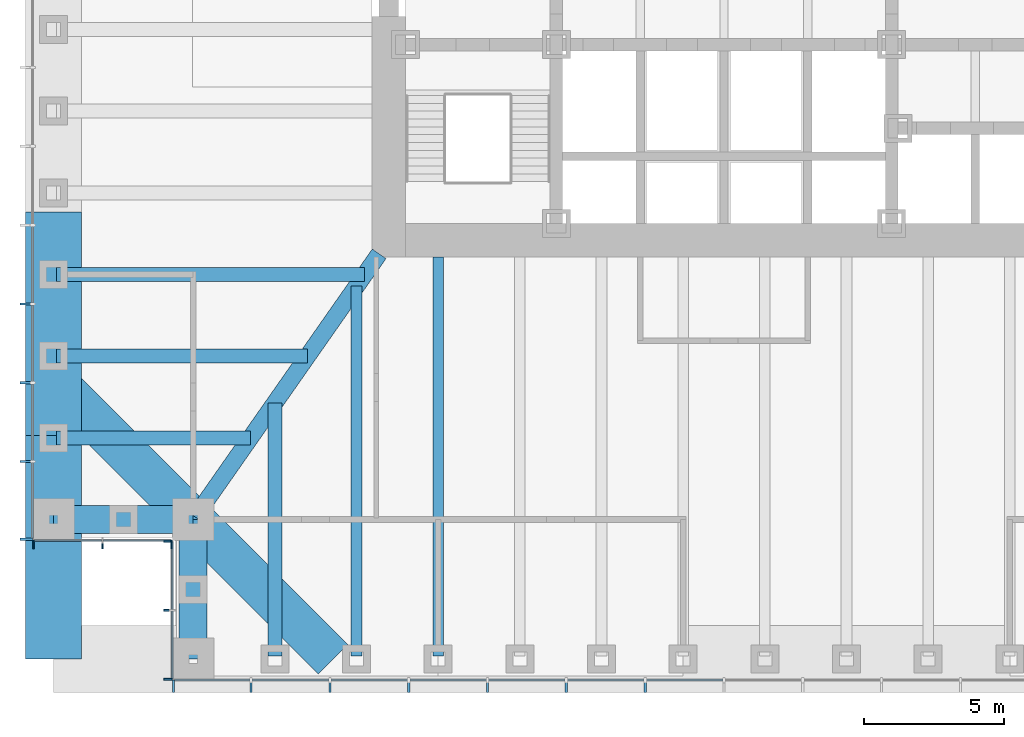
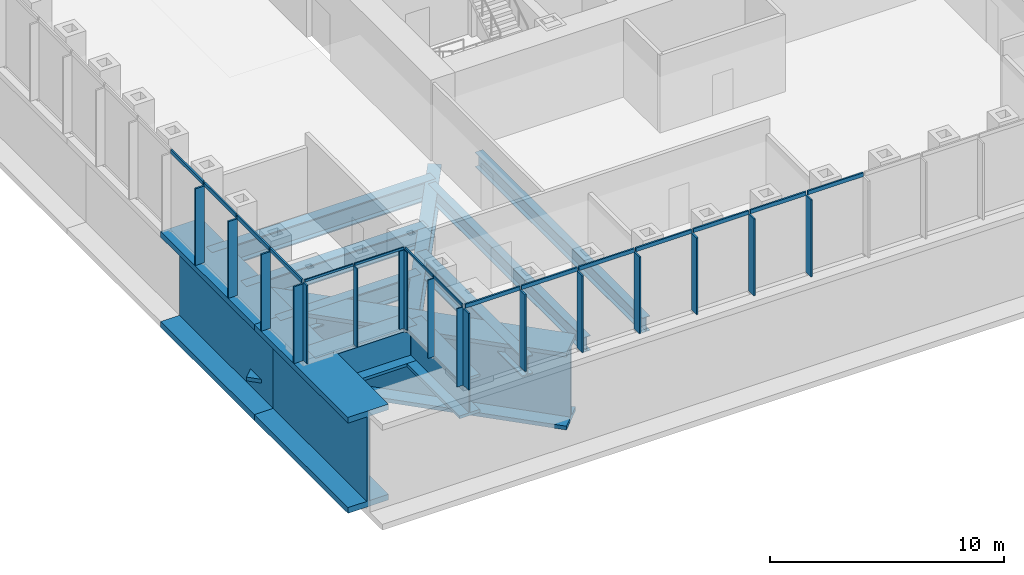
# One storey, part 2 of 16: 32 members, 12 beams, 4 elements without a shape of their own.
"""IFC4 building model written with IfcOpenShell, lengths in metres."""

from ifc_helpers import new_model, si_unit, direction, frame, origin, origin_2d, place, context, subcontext, project, spatial, rectangle, i_section, extrude, material, material_profile, profile_set, type_object, element, aggregate, save


model = new_model("IFC4")

# Units and contexts
model_context = context("Model", 3, precision=1e-05, world=origin(), true_north=direction((0.0, 1.0)))
body_context = subcontext(model_context, "Body", "Model", "MODEL_VIEW")
ifc_project = project(units=[si_unit("LENGTHUNIT", "METRE"), si_unit("AREAUNIT", "SQUARE_METRE"), si_unit("VOLUMEUNIT", "CUBIC_METRE"), si_unit("PLANEANGLEUNIT", "RADIAN"), si_unit("MASSUNIT", "GRAM", prefix="KILO")], contexts=[model_context])

# Site, building, storey
site_placement = place(None, origin())
site = spatial("IfcSite", under=ifc_project, at=site_placement, CompositionType="ELEMENT")
building_placement = place(site_placement, origin())
building = spatial("IfcBuilding", under=site, at=building_placement, Name="Daluyong Arena Tower", CompositionType="ELEMENT")
storey_placement = place(building_placement, frame((0.0, 0.0, 34.89990234375)))
storey = spatial("IfcBuildingStorey", under=building, at=storey_placement, Name="L06", CompositionType="ELEMENT", Elevation=34.89990234375)

# Curtain wall, members
ifc_material_1 = material(Name="Bronze anodised aluminium and glass", Category="aluminium")
curtain_wall_type_1 = type_object("IfcCurtainWallType", Name="Curtain wall CW1", PredefinedType="USERDEFINED", material=ifc_material_1)
curtain_wall_1_placement = place(storey_placement, origin())
curtain_wall_1 = element("IfcCurtainWall", 1, at=curtain_wall_1_placement, inside=storey, type_object=curtain_wall_type_1, Name="curtain wall L06 S", ObjectType="UNITISED CURTAIN WALL", PredefinedType="USERDEFINED")
ifc_material_2 = material(Name="Bronze anodised aluminium fin", Category="aluminium")
ifc_material_profile_1 = material_profile(ifc_material_2, rectangle(XDim=0.449951171875, YDim=0.080078125, at=origin_2d()))
ifc_profile_set_1 = profile_set([ifc_material_profile_1], Name="Bronze anodised aluminium fin")
member_type_1 = type_object("IfcMemberType", Name="CW1 bronze fin 450x80", PredefinedType="MULLION", material=ifc_profile_set_1)
member_1_placement = place(storey_placement, frame((36.2900390625, 55.02490234375, 0.0), z_axis=(0.0, 0.0, 1.0), x_axis=(0.0, 1.0, 0.0)))
member_1 = element("IfcMember", 2, at=member_1_placement, type_object=member_type_1, Name="curtain wall L06 S fin 1", PredefinedType="MULLION", context=body_context, shape_type="SweptSolid", body=[
    extrude(rectangle(XDim=0.449951171875, YDim=0.080078125, at=origin_2d()), origin(), (0.0, 0.0, 1.0), 4.0),
])
member_2_placement = place(storey_placement, frame((39.071533203125, 55.02490234375, 0.0), z_axis=(0.0, 0.0, 1.0), x_axis=(0.0, 1.0, 0.0)))
member_2 = element("IfcMember", 3, at=member_2_placement, type_object=member_type_1, Name="curtain wall L06 S fin 2", PredefinedType="MULLION", context=body_context, shape_type="SweptSolid", body=[
    extrude(rectangle(XDim=0.449951171875, YDim=0.080078125, at=origin_2d()), origin(), (0.0, 0.0, 1.0), 4.0),
])
member_3_placement = place(storey_placement, frame((41.892822265625, 55.02490234375, 0.0), z_axis=(0.0, 0.0, 1.0), x_axis=(0.0, 1.0, 0.0)))
member_3 = element("IfcMember", 4, at=member_3_placement, type_object=member_type_1, Name="curtain wall L06 S fin 3", PredefinedType="MULLION", context=body_context, shape_type="SweptSolid", body=[
    extrude(rectangle(XDim=0.449951171875, YDim=0.080078125, at=origin_2d()), origin(), (0.0, 0.0, 1.0), 4.0),
])
member_4_placement = place(storey_placement, frame((44.71435546875, 55.02490234375, 0.0), z_axis=(0.0, 0.0, 1.0), x_axis=(0.0, 1.0, 0.0)))
member_4 = element("IfcMember", 5, at=member_4_placement, type_object=member_type_1, Name="curtain wall L06 S fin 4", PredefinedType="MULLION", context=body_context, shape_type="SweptSolid", body=[
    extrude(rectangle(XDim=0.449951171875, YDim=0.080078125, at=origin_2d()), origin(), (0.0, 0.0, 1.0), 4.0),
])
member_5_placement = place(storey_placement, frame((47.53564453125, 55.02490234375, 0.0), z_axis=(0.0, 0.0, 1.0), x_axis=(0.0, 1.0, 0.0)))
member_5 = element("IfcMember", 6, at=member_5_placement, type_object=member_type_1, Name="curtain wall L06 S fin 5", PredefinedType="MULLION", context=body_context, shape_type="SweptSolid", body=[
    extrude(rectangle(XDim=0.449951171875, YDim=0.080078125, at=origin_2d()), origin(), (0.0, 0.0, 1.0), 4.0),
])
member_6_placement = place(storey_placement, frame((50.357177734375, 55.02490234375, 0.0), z_axis=(0.0, 0.0, 1.0), x_axis=(0.0, 1.0, 0.0)))
member_6 = element("IfcMember", 7, at=member_6_placement, type_object=member_type_1, Name="curtain wall L06 S fin 6", PredefinedType="MULLION", context=body_context, shape_type="SweptSolid", body=[
    extrude(rectangle(XDim=0.449951171875, YDim=0.080078125, at=origin_2d()), origin(), (0.0, 0.0, 1.0), 4.0),
])
member_7_placement = place(storey_placement, frame((53.178466796875, 55.02490234375, 0.0), z_axis=(0.0, 0.0, 1.0), x_axis=(0.0, 1.0, 0.0)))
member_7 = element("IfcMember", 8, at=member_7_placement, type_object=member_type_1, Name="curtain wall L06 S fin 7", PredefinedType="MULLION", context=body_context, shape_type="SweptSolid", body=[
    extrude(rectangle(XDim=0.449951171875, YDim=0.080078125, at=origin_2d()), origin(), (0.0, 0.0, 1.0), 4.0),
])

curtain_wall_2_placement = place(storey_placement, origin())
curtain_wall_2 = element("IfcCurtainWall", 9, at=curtain_wall_2_placement, inside=storey, type_object=curtain_wall_type_1, Name="curtain wall L06 W", ObjectType="UNITISED CURTAIN WALL", PredefinedType="USERDEFINED")
member_8_placement = place(storey_placement, frame((31.02490234375, 68.71435546875, 0.0), z_axis=(0.0, 0.0, 1.0), x_axis=(1.0, 0.0, 0.0)))
member_8 = element("IfcMember", 10, at=member_8_placement, type_object=member_type_1, Name="curtain wall L06 W fin 12", PredefinedType="MULLION", context=body_context, shape_type="SweptSolid", body=[
    extrude(rectangle(XDim=0.449951171875, YDim=0.080078125, at=origin_2d()), origin(), (0.0, 0.0, 1.0), 4.0),
])
member_9_placement = place(storey_placement, frame((31.02490234375, 65.892822265625, 0.0), z_axis=(0.0, 0.0, 1.0), x_axis=(1.0, 0.0, 0.0)))
member_9 = element("IfcMember", 11, at=member_9_placement, type_object=member_type_1, Name="curtain wall L06 W fin 13", PredefinedType="MULLION", context=body_context, shape_type="SweptSolid", body=[
    extrude(rectangle(XDim=0.449951171875, YDim=0.080078125, at=origin_2d()), origin(), (0.0, 0.0, 1.0), 4.0),
])
member_10_placement = place(storey_placement, frame((31.02490234375, 63.071533203125, 0.0), z_axis=(0.0, 0.0, 1.0), x_axis=(1.0, 0.0, 0.0)))
member_10 = element("IfcMember", 12, at=member_10_placement, type_object=member_type_1, Name="curtain wall L06 W fin 14", PredefinedType="MULLION", context=body_context, shape_type="SweptSolid", body=[
    extrude(rectangle(XDim=0.449951171875, YDim=0.080078125, at=origin_2d()), origin(), (0.0, 0.0, 1.0), 4.0),
])
member_11_placement = place(storey_placement, frame((31.02490234375, 60.2900390625, 0.0), z_axis=(0.0, 0.0, 1.0), x_axis=(1.0, 0.0, 0.0)))
member_11 = element("IfcMember", 13, at=member_11_placement, type_object=member_type_1, Name="curtain wall L06 W fin 15", PredefinedType="MULLION", context=body_context, shape_type="SweptSolid", body=[
    extrude(rectangle(XDim=0.449951171875, YDim=0.080078125, at=origin_2d()), origin(), (0.0, 0.0, 1.0), 4.0),
])

# Member
ifc_material_3 = material(Name="Bronze anodised aluminium", Category="aluminium")
ifc_material_profile_2 = material_profile(ifc_material_3, rectangle(XDim=0.080078125, YDim=0.199951171875, at=origin_2d()))
ifc_profile_set_2 = profile_set([ifc_material_profile_2], Name="Bronze anodised aluminium")
member_type_2 = type_object("IfcMemberType", Name="CW1 stack transom 200x80", PredefinedType="USERDEFINED", material=ifc_profile_set_2)
member_12_placement = place(storey_placement, frame((36.330078125, 55.25, 4.10009765625), z_axis=(1.0, 0.0, 0.0), x_axis=(0.0, 1.0, 0.0)))
member_12 = element("IfcMember", 14, at=member_12_placement, type_object=member_type_2, Name="curtain wall L06 S transom 1", ObjectType="TRANSOM", PredefinedType="USERDEFINED", context=body_context, shape_type="SweptSolid", body=[
    extrude(rectangle(XDim=0.080078125, YDim=0.199951171875, at=origin_2d()), origin(), (0.0, 0.0, 1.0), 2.701416015625),
])

member_13_placement = place(storey_placement, frame((39.111328125, 55.25, 4.10009765625), z_axis=(1.0, 0.0, 0.0), x_axis=(0.0, 1.0, 0.0)))
member_13 = element("IfcMember", 15, at=member_13_placement, type_object=member_type_2, Name="curtain wall L06 S transom 2", ObjectType="TRANSOM", PredefinedType="USERDEFINED", context=body_context, shape_type="SweptSolid", body=[
    extrude(rectangle(XDim=0.080078125, YDim=0.199951171875, at=origin_2d()), origin(), (0.0, 0.0, 1.0), 2.741455078125),
])

member_14_placement = place(storey_placement, frame((41.932861328125, 55.25, 4.10009765625), z_axis=(1.0, 0.0, 0.0), x_axis=(0.0, 1.0, 0.0)))
member_14 = element("IfcMember", 16, at=member_14_placement, type_object=member_type_2, Name="curtain wall L06 S transom 3", ObjectType="TRANSOM", PredefinedType="USERDEFINED", context=body_context, shape_type="SweptSolid", body=[
    extrude(rectangle(XDim=0.080078125, YDim=0.199951171875, at=origin_2d()), origin(), (0.0, 0.0, 1.0), 2.741455078125),
])

member_15_placement = place(storey_placement, frame((44.75439453125, 55.25, 4.10009765625), z_axis=(1.0, 0.0, 0.0), x_axis=(0.0, 1.0, 0.0)))
member_15 = element("IfcMember", 17, at=member_15_placement, type_object=member_type_2, Name="curtain wall L06 S transom 4", ObjectType="TRANSOM", PredefinedType="USERDEFINED", context=body_context, shape_type="SweptSolid", body=[
    extrude(rectangle(XDim=0.080078125, YDim=0.199951171875, at=origin_2d()), origin(), (0.0, 0.0, 1.0), 2.7412109375),
])

member_16_placement = place(storey_placement, frame((47.57568359375, 55.25, 4.10009765625), z_axis=(1.0, 0.0, 0.0), x_axis=(0.0, 1.0, 0.0)))
member_16 = element("IfcMember", 18, at=member_16_placement, type_object=member_type_2, Name="curtain wall L06 S transom 5", ObjectType="TRANSOM", PredefinedType="USERDEFINED", context=body_context, shape_type="SweptSolid", body=[
    extrude(rectangle(XDim=0.080078125, YDim=0.199951171875, at=origin_2d()), origin(), (0.0, 0.0, 1.0), 2.741455078125),
])

member_17_placement = place(storey_placement, frame((50.397216796875, 55.25, 4.10009765625), z_axis=(1.0, 0.0, 0.0), x_axis=(0.0, 1.0, 0.0)))
member_17 = element("IfcMember", 19, at=member_17_placement, type_object=member_type_2, Name="curtain wall L06 S transom 6", ObjectType="TRANSOM", PredefinedType="USERDEFINED", context=body_context, shape_type="SweptSolid", body=[
    extrude(rectangle(XDim=0.080078125, YDim=0.199951171875, at=origin_2d()), origin(), (0.0, 0.0, 1.0), 2.741455078125),
])

member_18_placement = place(storey_placement, frame((53.218505859375, 55.25, 4.10009765625), z_axis=(1.0, 0.0, 0.0), x_axis=(0.0, 1.0, 0.0)))
member_18 = element("IfcMember", 20, at=member_18_placement, type_object=member_type_2, Name="curtain wall L06 S transom 7", ObjectType="TRANSOM", PredefinedType="USERDEFINED", context=body_context, shape_type="SweptSolid", body=[
    extrude(rectangle(XDim=0.080078125, YDim=0.199951171875, at=origin_2d()), origin(), (0.0, 0.0, 1.0), 2.741455078125),
])

aggregate(curtain_wall_1, [member_1, member_2, member_3, member_4, member_5, member_6, member_7, member_12, member_13, member_14, member_15, member_16, member_17, member_18])

member_19_placement = place(storey_placement, frame((31.25, 71.49560546875, 4.10009765625), z_axis=(0.0, -1.0, 0.0), x_axis=(1.0, 0.0, 0.0)))
member_19 = element("IfcMember", 21, at=member_19_placement, type_object=member_type_2, Name="curtain wall L06 W transom 11", ObjectType="TRANSOM", PredefinedType="USERDEFINED", context=body_context, shape_type="SweptSolid", body=[
    extrude(rectangle(XDim=0.080078125, YDim=0.199951171875, at=origin_2d()), origin(), (0.0, 0.0, 1.0), 2.7412109375),
])

member_20_placement = place(storey_placement, frame((31.25, 68.67431640625, 4.10009765625), z_axis=(0.0, -1.0, 0.0), x_axis=(1.0, 0.0, 0.0)))
member_20 = element("IfcMember", 22, at=member_20_placement, type_object=member_type_2, Name="curtain wall L06 W transom 12", ObjectType="TRANSOM", PredefinedType="USERDEFINED", context=body_context, shape_type="SweptSolid", body=[
    extrude(rectangle(XDim=0.080078125, YDim=0.199951171875, at=origin_2d()), origin(), (0.0, 0.0, 1.0), 2.741455078125),
])

member_21_placement = place(storey_placement, frame((31.25, 65.852783203125, 4.10009765625), z_axis=(0.0, -1.0, 0.0), x_axis=(1.0, 0.0, 0.0)))
member_21 = element("IfcMember", 23, at=member_21_placement, type_object=member_type_2, Name="curtain wall L06 W transom 13", ObjectType="TRANSOM", PredefinedType="USERDEFINED", context=body_context, shape_type="SweptSolid", body=[
    extrude(rectangle(XDim=0.080078125, YDim=0.199951171875, at=origin_2d()), origin(), (0.0, 0.0, 1.0), 2.741455078125),
])

member_22_placement = place(storey_placement, frame((31.25, 63.031494140625, 4.10009765625), z_axis=(0.0, -1.0, 0.0), x_axis=(1.0, 0.0, 0.0)))
member_22 = element("IfcMember", 24, at=member_22_placement, type_object=member_type_2, Name="curtain wall L06 W transom 14", ObjectType="TRANSOM", PredefinedType="USERDEFINED", context=body_context, shape_type="SweptSolid", body=[
    extrude(rectangle(XDim=0.080078125, YDim=0.199951171875, at=origin_2d()), origin(), (0.0, 0.0, 1.0), 2.701416015625),
])

aggregate(curtain_wall_2, [member_8, member_9, member_10, member_11, member_19, member_20, member_21, member_22])

# Curtain wall, members
ifc_material_4 = material(Name="Bronze anodised aluminium and glass", Category="aluminium")
curtain_wall_type_2 = type_object("IfcCurtainWallType", Name="Curtain wall CW7", PredefinedType="USERDEFINED", material=ifc_material_4)
curtain_wall_3_placement = place(storey_placement, origin())
curtain_wall_3 = element("IfcCurtainWall", 25, at=curtain_wall_3_placement, inside=storey, type_object=curtain_wall_type_2, Name="curtain wall L06 SW-S", ObjectType="UNITISED CURTAIN WALL", PredefinedType="USERDEFINED")
ifc_material_5 = material(Name="Bronze anodised aluminium fin", Category="aluminium")
ifc_material_profile_3 = material_profile(ifc_material_5, rectangle(XDim=0.300048828125, YDim=0.06005859375, at=origin_2d()))
ifc_profile_set_3 = profile_set([ifc_material_profile_3], Name="Bronze anodised aluminium fin")
member_type_3 = type_object("IfcMemberType", Name="CW7 bronze fin 300x60", PredefinedType="MULLION", material=ifc_profile_set_3)
member_23_placement = place(storey_placement, frame((31.280029296875, 60.10009765625, 0.0), z_axis=(0.0, 0.0, 1.0), x_axis=(0.0, 1.0, 0.0)))
member_23 = element("IfcMember", 26, at=member_23_placement, type_object=member_type_3, Name="curtain wall L06 SW-S fin 1", PredefinedType="MULLION", context=body_context, shape_type="SweptSolid", body=[
    extrude(rectangle(XDim=0.300048828125, YDim=0.06005859375, at=origin_2d()), origin(), (0.0, 0.0, 1.0), 4.080078125),
])
member_24_placement = place(storey_placement, frame((33.75, 60.10009765625, 0.0), z_axis=(0.0, 0.0, 1.0), x_axis=(0.0, 1.0, 0.0)))
member_24 = element("IfcMember", 27, at=member_24_placement, type_object=member_type_3, Name="curtain wall L06 SW-S fin 2", PredefinedType="MULLION", context=body_context, shape_type="SweptSolid", body=[
    extrude(rectangle(XDim=0.300048828125, YDim=0.06005859375, at=origin_2d()), origin(), (0.0, 0.0, 1.0), 4.080078125),
])
member_25_placement = place(storey_placement, frame((36.219970703125, 60.10009765625, 0.0), z_axis=(0.0, 0.0, 1.0), x_axis=(0.0, 1.0, 0.0)))
member_25 = element("IfcMember", 28, at=member_25_placement, type_object=member_type_3, Name="curtain wall L06 SW-S fin 3", PredefinedType="MULLION", context=body_context, shape_type="SweptSolid", body=[
    extrude(rectangle(XDim=0.300048828125, YDim=0.06005859375, at=origin_2d()), origin(), (0.0, 0.0, 1.0), 4.080078125),
])

curtain_wall_4_placement = place(storey_placement, origin())
curtain_wall_4 = element("IfcCurtainWall", 29, at=curtain_wall_4_placement, inside=storey, type_object=curtain_wall_type_2, Name="curtain wall L06 SW-W", ObjectType="UNITISED CURTAIN WALL", PredefinedType="USERDEFINED")
member_26_placement = place(storey_placement, frame((36.10009765625, 60.219970703125, 0.0), z_axis=(0.0, 0.0, 1.0), x_axis=(1.0, 0.0, 0.0)))
member_26 = element("IfcMember", 30, at=member_26_placement, type_object=member_type_3, Name="curtain wall L06 SW-W fin 1", PredefinedType="MULLION", context=body_context, shape_type="SweptSolid", body=[
    extrude(rectangle(XDim=0.300048828125, YDim=0.06005859375, at=origin_2d()), origin(), (0.0, 0.0, 1.0), 4.080078125),
])
member_27_placement = place(storey_placement, frame((36.10009765625, 57.75, 0.0), z_axis=(0.0, 0.0, 1.0), x_axis=(1.0, 0.0, 0.0)))
member_27 = element("IfcMember", 31, at=member_27_placement, type_object=member_type_3, Name="curtain wall L06 SW-W fin 2", PredefinedType="MULLION", context=body_context, shape_type="SweptSolid", body=[
    extrude(rectangle(XDim=0.300048828125, YDim=0.06005859375, at=origin_2d()), origin(), (0.0, 0.0, 1.0), 4.080078125),
])
member_28_placement = place(storey_placement, frame((36.10009765625, 55.280029296875, 0.0), z_axis=(0.0, 0.0, 1.0), x_axis=(1.0, 0.0, 0.0)))
member_28 = element("IfcMember", 32, at=member_28_placement, type_object=member_type_3, Name="curtain wall L06 SW-W fin 3", PredefinedType="MULLION", context=body_context, shape_type="SweptSolid", body=[
    extrude(rectangle(XDim=0.300048828125, YDim=0.06005859375, at=origin_2d()), origin(), (0.0, 0.0, 1.0), 4.080078125),
])

# Member
ifc_material_6 = material(Name="Bronze anodised aluminium", Category="aluminium")
ifc_material_profile_4 = material_profile(ifc_material_6, rectangle(XDim=0.06005859375, YDim=0.1201171875, at=origin_2d()))
ifc_profile_set_4 = profile_set([ifc_material_profile_4], Name="Bronze anodised aluminium")
member_type_4 = type_object("IfcMemberType", Name="CW7 stack transom 120x60", PredefinedType="USERDEFINED", material=ifc_profile_set_4)
member_29_placement = place(storey_placement, frame((31.31005859375, 60.25, 4.14013671875), z_axis=(1.0, 0.0, 0.0), x_axis=(0.0, 1.0, 0.0)))
member_29 = element("IfcMember", 33, at=member_29_placement, type_object=member_type_4, Name="curtain wall L06 SW-S transom 1", ObjectType="TRANSOM", PredefinedType="USERDEFINED", context=body_context, shape_type="SweptSolid", body=[
    extrude(rectangle(XDim=0.06005859375, YDim=0.1201171875, at=origin_2d()), origin(), (0.0, 0.0, 1.0), 2.409912109375),
])

member_30_placement = place(storey_placement, frame((33.780029296875, 60.25, 4.14013671875), z_axis=(1.0, 0.0, 0.0), x_axis=(0.0, 1.0, 0.0)))
member_30 = element("IfcMember", 34, at=member_30_placement, type_object=member_type_4, Name="curtain wall L06 SW-S transom 2", ObjectType="TRANSOM", PredefinedType="USERDEFINED", context=body_context, shape_type="SweptSolid", body=[
    extrude(rectangle(XDim=0.06005859375, YDim=0.1201171875, at=origin_2d()), origin(), (0.0, 0.0, 1.0), 2.409912109375),
])

aggregate(curtain_wall_3, [member_23, member_24, member_25, member_29, member_30])

member_31_placement = place(storey_placement, frame((36.25, 60.18994140625, 4.14013671875), z_axis=(0.0, -1.0, 0.0), x_axis=(1.0, 0.0, 0.0)))
member_31 = element("IfcMember", 35, at=member_31_placement, type_object=member_type_4, Name="curtain wall L06 SW-W transom 1", ObjectType="TRANSOM", PredefinedType="USERDEFINED", context=body_context, shape_type="SweptSolid", body=[
    extrude(rectangle(XDim=0.06005859375, YDim=0.1201171875, at=origin_2d()), origin(), (0.0, 0.0, 1.0), 2.409912109375),
])

member_32_placement = place(storey_placement, frame((36.25, 57.719970703125, 4.14013671875), z_axis=(0.0, -1.0, 0.0), x_axis=(1.0, 0.0, 0.0)))
member_32 = element("IfcMember", 36, at=member_32_placement, type_object=member_type_4, Name="curtain wall L06 SW-W transom 2", ObjectType="TRANSOM", PredefinedType="USERDEFINED", context=body_context, shape_type="SweptSolid", body=[
    extrude(rectangle(XDim=0.06005859375, YDim=0.1201171875, at=origin_2d()), origin(), (0.0, 0.0, 1.0), 2.409912109375),
])

aggregate(curtain_wall_4, [member_26, member_27, member_28, member_31, member_32])

# Beams
ifc_material_7 = material(Name="Steel ASTM A572 Grade 50", Category="steel")
ifc_material_profile_5 = material_profile(ifc_material_7, i_section(OverallWidth=0.60009765625, OverallDepth=1.300048828125, WebThickness=0.035, FlangeThickness=0.07, at=origin_2d()))
ifc_profile_set_5 = profile_set([ifc_material_profile_5], Name="Steel ASTM A572 Grade 50")
beam_type_1 = type_object("IfcBeamType", Name="Corner girder TB1300X600", PredefinedType="BEAM", material=ifc_profile_set_5)
beam_1_placement = place(storey_placement, frame((37.06591796875, 61.09423828125, -0.949951171875), z_axis=(0.573466621875, 0.819228926244, 0.0), x_axis=(-0.819228926244, 0.573466621875, 0.0)))
element("IfcBeam", 37, at=beam_1_placement, inside=storey, type_object=beam_type_1, Name="corner girder DG1", PredefinedType="BEAM", context=body_context, shape_type="SweptSolid", body=[
    extrude(i_section(OverallWidth=0.60009765625, OverallDepth=1.300048828125, WebThickness=0.035, FlangeThickness=0.07, at=origin_2d()), origin(), (0.0, 0.0, 1.0), 11.49169921875),
])
ifc_material_8 = material(Name="Steel ASTM A572 Grade 50", Category="steel")
ifc_material_profile_6 = material_profile(ifc_material_8, i_section(OverallWidth=0.5, OverallDepth=1.0, WebThickness=0.03, FlangeThickness=0.06, at=origin_2d()))
ifc_profile_set_6 = profile_set([ifc_material_profile_6], Name="Steel ASTM A572 Grade 50")
beam_type_2 = type_object("IfcBeamType", Name="Floor beam TB1000X500", PredefinedType="BEAM", material=ifc_profile_set_6)
beam_2_placement = place(storey_placement, frame((39.923095703125, 56.114990234375, -0.7998046875), z_axis=(0.0, 1.0, 0.0), x_axis=(-1.0, 0.0, 0.0)))
element("IfcBeam", 38, at=beam_2_placement, inside=storey, type_object=beam_type_2, Name="floor beam FB1", PredefinedType="BEAM", context=body_context, shape_type="SweptSolid", body=[
    extrude(i_section(OverallWidth=0.5, OverallDepth=1.0, WebThickness=0.03, FlangeThickness=0.06, at=origin_2d()), origin(), (0.0, 0.0, 1.0), 9.060791015625),
])
beam_3_placement = place(storey_placement, frame((32.114990234375, 69.769287109375, -0.7998046875), z_axis=(1.0, 0.0, 0.0), x_axis=(0.0, 1.0, 0.0)))
element("IfcBeam", 39, at=beam_3_placement, inside=storey, type_object=beam_type_2, Name="floor beam FB1", PredefinedType="BEAM", context=body_context, shape_type="SweptSolid", body=[
    extrude(i_section(OverallWidth=0.5, OverallDepth=1.0, WebThickness=0.03, FlangeThickness=0.06, at=origin_2d()), origin(), (0.0, 0.0, 1.0), 11.0234375),
])
beam_4_placement = place(storey_placement, frame((32.114990234375, 66.84619140625, -0.7998046875), z_axis=(1.0, 0.0, 0.0), x_axis=(0.0, 1.0, 0.0)))
element("IfcBeam", 40, at=beam_4_placement, inside=storey, type_object=beam_type_2, Name="floor beam FB1", PredefinedType="BEAM", context=body_context, shape_type="SweptSolid", body=[
    extrude(i_section(OverallWidth=0.5, OverallDepth=1.0, WebThickness=0.03, FlangeThickness=0.06, at=origin_2d()), origin(), (0.0, 0.0, 1.0), 8.977294921875),
])
beam_5_placement = place(storey_placement, frame((32.114990234375, 63.923095703125, -0.7998046875), z_axis=(1.0, 0.0, 0.0), x_axis=(0.0, 1.0, 0.0)))
element("IfcBeam", 41, at=beam_5_placement, inside=storey, type_object=beam_type_2, Name="floor beam FB1", PredefinedType="BEAM", context=body_context, shape_type="SweptSolid", body=[
    extrude(i_section(OverallWidth=0.5, OverallDepth=1.0, WebThickness=0.03, FlangeThickness=0.06, at=origin_2d()), origin(), (0.0, 0.0, 1.0), 6.93115234375),
])
ifc_material_9 = material(Name="Steel ASTM A992 Grade 50", Category="steel")
ifc_material_profile_7 = material_profile(ifc_material_9, i_section(OverallWidth=0.381103515625, OverallDepth=0.772216796875, WebThickness=0.0166015625, FlangeThickness=0.027099609375, at=origin_2d()))
ifc_profile_set_7 = profile_set([ifc_material_profile_7], Name="Steel ASTM A992 Grade 50")
beam_type_3 = type_object("IfcBeamType", Name="Floor beam W30X173", PredefinedType="BEAM", material=ifc_profile_set_7)
beam_6_placement = place(storey_placement, frame((42.84619140625, 56.114990234375, -0.68603515625), z_axis=(0.0, 1.0, 0.0), x_axis=(-1.0, 0.0, 0.0)))
element("IfcBeam", 42, at=beam_6_placement, inside=storey, type_object=beam_type_3, Name="floor beam FB2", PredefinedType="BEAM", context=body_context, shape_type="SweptSolid", body=[
    extrude(i_section(OverallWidth=0.381103515625, OverallDepth=0.772216796875, WebThickness=0.0166015625, FlangeThickness=0.027099609375, at=origin_2d()), origin(), (0.0, 0.0, 1.0), 13.236572265625),
])
beam_7_placement = place(storey_placement, frame((45.769287109375, 56.114990234375, -0.68603515625), z_axis=(0.0, 1.0, 0.0), x_axis=(-1.0, 0.0, 0.0)))
element("IfcBeam", 43, at=beam_7_placement, inside=storey, type_object=beam_type_3, Name="floor beam FB2", PredefinedType="BEAM", context=body_context, shape_type="SweptSolid", body=[
    extrude(i_section(OverallWidth=0.381103515625, OverallDepth=0.772216796875, WebThickness=0.0166015625, FlangeThickness=0.027099609375, at=origin_2d()), origin(), (0.0, 0.0, 1.0), 14.284912109375),
])
ifc_material_10 = material(Name="Steel ASTM A36", Category="steel")
ifc_material_profile_8 = material_profile(ifc_material_10, i_section(OverallWidth=2.0, OverallDepth=5.0, WebThickness=0.14, FlangeThickness=0.3, at=origin_2d()))
ifc_profile_set_8 = profile_set([ifc_material_profile_8], Name="Steel ASTM A36")
beam_type_4 = type_object("IfcBeamType", Name="Tower transfer girder PG5000X2000", PredefinedType="BEAM", material=ifc_profile_set_8)
for number, where, z_axis, x_axis, name in (
    (44, (32.0, 56.0, -2.7998046875), (0.0, 1.0, 0.0), (-1.0, 0.0, 0.0), "tower transfer girder TG2"),
    (45, (32.0, 64.0, -2.7998046875), (0.0, 1.0, 0.0), (-1.0, 0.0, 0.0), "tower transfer girder TG2"),
):
    element("IfcBeam", number, at=place(storey_placement, frame(where, z_axis=z_axis, x_axis=x_axis)), inside=storey, type_object=beam_type_4, Name=name, PredefinedType="BEAM", context=body_context, shape_type="SweptSolid", body=[
        extrude(i_section(OverallWidth=2.0, OverallDepth=5.0, WebThickness=0.14, FlangeThickness=0.3, at=origin_2d()), origin(), (0.0, 0.0, 1.0), 8.0),
    ])
ifc_material_11 = material(Name="Steel ASTM A588 Grade 50", Category="steel")
ifc_material_profile_9 = material_profile(ifc_material_11, i_section(OverallWidth=1.0, OverallDepth=2.0, WebThickness=0.06, FlangeThickness=0.15, at=origin_2d()))
ifc_profile_set_9 = profile_set([ifc_material_profile_9], Name="Steel ASTM A588 Grade 50")
beam_type_5 = type_object("IfcBeamType", Name="Transfer beam PG2000X1000", PredefinedType="BEAM", material=ifc_profile_set_9)
for number, where, z_axis, x_axis, name in (
    (46, (37.0, 56.0, -1.2998046875), (0.0, 1.0, 0.0), (-1.0, 0.0, 0.0), "transfer beam TR2"),
    (47, (32.0, 61.0, -1.2998046875), (1.0, 0.0, 0.0), (0.0, 1.0, 0.0), "transfer beam TR2"),
):
    element("IfcBeam", number, at=place(storey_placement, frame(where, z_axis=z_axis, x_axis=x_axis)), inside=storey, type_object=beam_type_5, Name=name, PredefinedType="BEAM", context=body_context, shape_type="SweptSolid", body=[
        extrude(i_section(OverallWidth=1.0, OverallDepth=2.0, WebThickness=0.06, FlangeThickness=0.15, at=origin_2d()), origin(), (0.0, 0.0, 1.0), 5.0),
    ])
ifc_material_12 = material(Name="Steel ASTM A588 Grade 50", Category="steel")
ifc_material_profile_10 = material_profile(ifc_material_12, i_section(OverallWidth=1.5, OverallDepth=4.0, WebThickness=0.1, FlangeThickness=0.2, at=origin_2d()))
ifc_profile_set_10 = profile_set([ifc_material_profile_10], Name="Steel ASTM A588 Grade 50")
beam_type_6 = type_object("IfcBeamType", Name="Transfer beam PG4000X1500", PredefinedType="BEAM", material=ifc_profile_set_10)
beam_8_placement = place(storey_placement, frame((32.0, 66.0, -2.2998046875), z_axis=(0.707106781187, -0.707106781187, 0.0), x_axis=(0.707106781187, 0.707106781187, 0.0)))
element("IfcBeam", 48, at=beam_8_placement, inside=storey, type_object=beam_type_6, Name="transfer beam TR1", PredefinedType="BEAM", context=body_context, shape_type="SweptSolid", body=[
    extrude(i_section(OverallWidth=1.5, OverallDepth=4.0, WebThickness=0.1, FlangeThickness=0.2, at=origin_2d()), origin(), (0.0, 0.0, 1.0), 14.14208984375),
])

save(model, "model.ifc")
